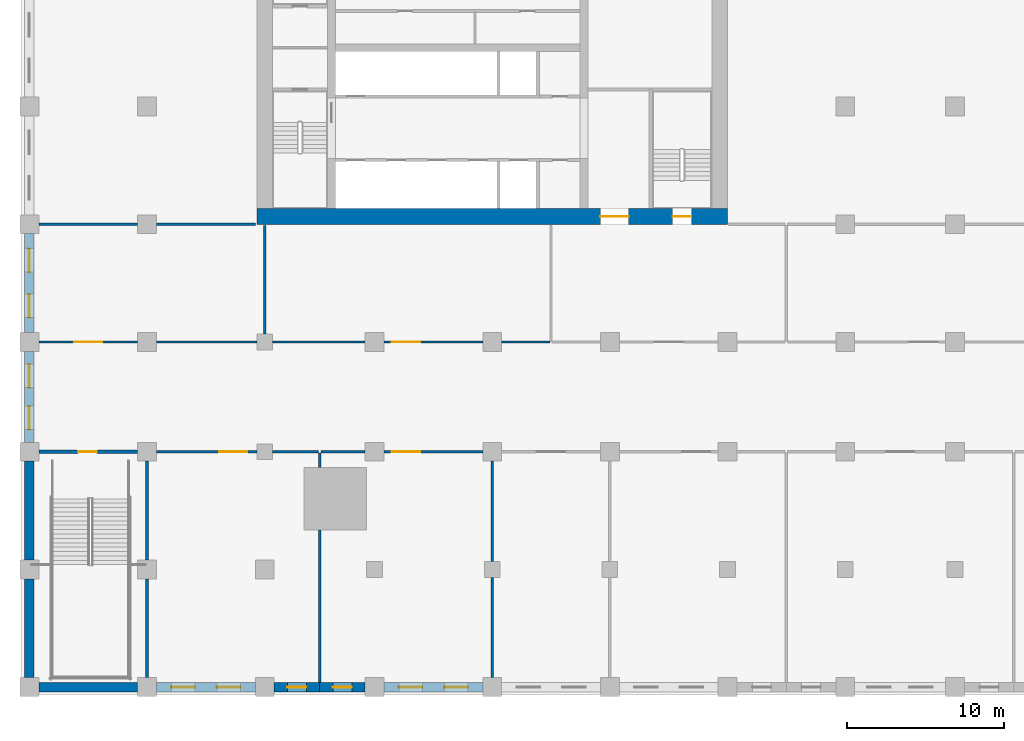
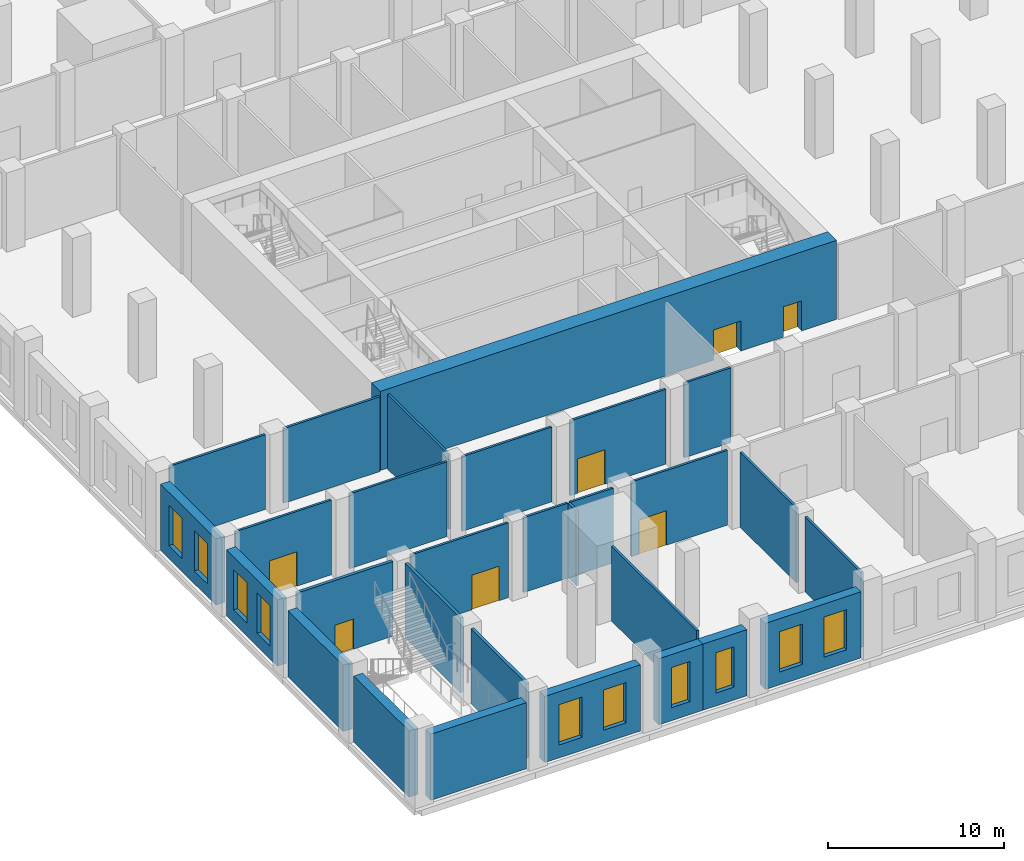
# One storey, part 6 of 35: 29 walls, 10 windows, 7 doors, 17 openings.
"""IFC4 building model written with IfcOpenShell, lengths in metres."""

from ifc_helpers import new_model, si_unit, direction, frame, frame_2d, origin, place, context, subcontext, project, spatial, rectangle, extrude, material, layer, layer_set, type_object, element, fill, save


model = new_model("IFC4")

# Units and contexts
model_context = context("Model", 3, precision=1e-05, world=origin(), true_north=direction((0.0, 1.0)))
body_context = subcontext(model_context, "Body", "Model", "MODEL_VIEW")
ifc_project = project(units=[si_unit("LENGTHUNIT", "METRE"), si_unit("AREAUNIT", "SQUARE_METRE"), si_unit("VOLUMEUNIT", "CUBIC_METRE"), si_unit("PLANEANGLEUNIT", "RADIAN"), si_unit("MASSUNIT", "GRAM", prefix="KILO")], contexts=[model_context])

# Site, building, storey
site_placement = place(None, origin())
site = spatial("IfcSite", under=ifc_project, at=site_placement, CompositionType="ELEMENT")
building_placement = place(site_placement, origin())
building = spatial("IfcBuilding", under=site, at=building_placement, Name="Tamorin Gate", CompositionType="ELEMENT")
storey_placement = place(building_placement, frame((0.0, 0.0, 8.0)))
storey = spatial("IfcBuildingStorey", under=building, at=storey_placement, Name="L01", CompositionType="ELEMENT", Elevation=8.0)

# Wall, opening, door
ifc_material_1 = material(Name="Concrete masonry C20/25", Category="masonry")
ifc_layer_1 = layer(ifc_material_1, 0.14990234375)
ifc_layer_set_1 = layer_set([ifc_layer_1], Name="Partition 150")
wall_type_1 = type_object("IfcWallType", Name="Partition 150", PredefinedType="PARTITIONING", material=ifc_layer_set_1)
wall_1_placement = place(storey_placement, frame((23.60009765625, 45.5, 0.0), z_axis=(0.0, 0.0, 1.0), x_axis=(1.0, 0.0, 0.0)))
wall_1 = element("IfcWall", 1, at=wall_1_placement, inside=storey, type_object=wall_type_1, Name="Partition 150 L01", PredefinedType="PARTITIONING", context=body_context, shape_type="SweptSolid", body=[
    extrude(rectangle(XDim=6.39990234375, YDim=0.14990234375, at=frame_2d((3.199951171875, 0.0))), origin(), (0.0, 0.0, 1.0), 5.199951171875),
])
opening_1_placement = place(wall_1_placement, frame((4.0, 0.0, 0.0)))
opening_1 = element("IfcOpeningElement", 2, at=opening_1_placement, cuts=wall_1, Name="Opening DP3", PredefinedType="OPENING", context=body_context, shape_type="SweptSolid", body=[
    extrude(rectangle(XDim=1.800048828125, YDim=2.39990234375, at=frame_2d((0.89990234375, 1.199951171875))), frame((0.0, 0.0849609375, 0.0), z_axis=(0.0, -1.0, 0.0), x_axis=(1.0, 0.0, 0.0)), (0.0, 0.0, 1.0), 0.169921875),
])
ifc_material_2 = material(Name="Steel and glass", Category="steel")
door_type_1 = type_object("IfcDoorType", Name="Door pair 1800", OperationType="DOUBLE_DOOR_SINGLE_SWING", PredefinedType="DOOR", material=ifc_material_2)
door_1_placement = place(opening_1_placement, origin())
door_1 = element("IfcDoor", 3, at=door_1_placement, inside=storey, type_object=door_type_1, Name="Door pair 1800 L01", OperationType="SINGLE_SWING_LEFT", OverallHeight=2.39990234375, OverallWidth=1.800048828125, PredefinedType="DOOR", context=body_context, shape_type="SweptSolid", body=[
    extrude(rectangle(XDim=1.800048828125, YDim=2.39990234375, at=frame_2d((0.89990234375, 1.199951171875))), frame((0.0, 0.02490234375, 0.0), z_axis=(0.0, -1.0, 0.0), x_axis=(1.0, 0.0, 0.0)), (0.0, 0.0, 1.0), 0.050048828125),
])
fill(opening_1, door_1)

# Walls
wall_2_placement = place(storey_placement, frame((31.0, 45.5, 0.0), z_axis=(0.0, 0.0, 1.0), x_axis=(1.0, 0.0, 0.0)))
element("IfcWall", 4, at=wall_2_placement, inside=storey, type_object=wall_type_1, Name="Partition 150 L01", PredefinedType="PARTITIONING", context=body_context, shape_type="SweptSolid", body=[
    extrude(rectangle(XDim=2.925048828125, YDim=0.14990234375, at=frame_2d((1.46240234375, 0.0))), origin(), (0.0, 0.0, 1.0), 5.199951171875),
])
wall_3_placement = place(storey_placement, frame((34.074951171875, 45.5, 0.0), z_axis=(0.0, 0.0, 1.0), x_axis=(1.0, 0.0, 0.0)))
element("IfcWall", 5, at=wall_3_placement, inside=storey, type_object=wall_type_1, Name="Partition 150 L01", PredefinedType="PARTITIONING", context=body_context, shape_type="SweptSolid", body=[
    extrude(rectangle(XDim=2.824951171875, YDim=0.14990234375, at=frame_2d((1.41259765625, 0.0))), origin(), (0.0, 0.0, 1.0), 5.199951171875),
])

# Wall, opening, door
wall_4_placement = place(storey_placement, frame((38.10009765625, 45.5, 0.0), z_axis=(0.0, 0.0, 1.0), x_axis=(1.0, 0.0, 0.0)))
wall_4 = element("IfcWall", 6, at=wall_4_placement, inside=storey, type_object=wall_type_1, Name="Partition 150 L01", PredefinedType="PARTITIONING", context=body_context, shape_type="SweptSolid", body=[
    extrude(rectangle(XDim=6.2998046875, YDim=0.14990234375, at=frame_2d((3.14990234375, 0.0))), origin(), (0.0, 0.0, 1.0), 5.199951171875),
])
opening_2_placement = place(wall_4_placement, frame((0.5, 0.0, 0.0)))
opening_2 = element("IfcOpeningElement", 7, at=opening_2_placement, cuts=wall_4, Name="Opening DP3", PredefinedType="OPENING", context=body_context, shape_type="SweptSolid", body=[
    extrude(rectangle(XDim=1.800048828125, YDim=2.39990234375, at=frame_2d((0.89990234375, 1.199951171875))), frame((0.0, 0.0849609375, 0.0), z_axis=(0.0, -1.0, 0.0), x_axis=(1.0, 0.0, 0.0)), (0.0, 0.0, 1.0), 0.169921875),
])
door_2_placement = place(opening_2_placement, origin())
door_2 = element("IfcDoor", 8, at=door_2_placement, inside=storey, type_object=door_type_1, Name="Door pair 1800 L01", OperationType="SINGLE_SWING_LEFT", OverallHeight=2.39990234375, OverallWidth=1.800048828125, PredefinedType="DOOR", context=body_context, shape_type="SweptSolid", body=[
    extrude(rectangle(XDim=1.800048828125, YDim=2.39990234375, at=frame_2d((0.89990234375, 1.199951171875))), frame((0.0, 0.02490234375, 0.0), z_axis=(0.0, -1.0, 0.0), x_axis=(1.0, 0.0, 0.0)), (0.0, 0.0, 1.0), 0.050048828125),
])
fill(opening_2, door_2)

wall_5_placement = place(storey_placement, frame((22.39990234375, 52.5, 0.0), z_axis=(0.0, 0.0, 1.0), x_axis=(-1.0, 0.0, 0.0)))
wall_5 = element("IfcWall", 9, at=wall_5_placement, inside=storey, type_object=wall_type_1, Name="Partition 150 L01", PredefinedType="PARTITIONING", context=body_context, shape_type="SweptSolid", body=[
    extrude(rectangle(XDim=6.2998046875, YDim=0.14990234375, at=frame_2d((3.14990234375, 0.0))), origin(), (0.0, 0.0, 1.0), 5.199951171875),
])
opening_3_placement = place(wall_5_placement, frame((2.25, 0.0, 0.0)))
opening_3 = element("IfcOpeningElement", 10, at=opening_3_placement, cuts=wall_5, Name="Opening DP3", PredefinedType="OPENING", context=body_context, shape_type="SweptSolid", body=[
    extrude(rectangle(XDim=1.800048828125, YDim=2.39990234375, at=frame_2d((0.89990234375, 1.199951171875))), frame((0.0, 0.0849609375, 0.0), z_axis=(0.0, -1.0, 0.0), x_axis=(1.0, 0.0, 0.0)), (0.0, 0.0, 1.0), 0.169921875),
])
door_3_placement = place(opening_3_placement, origin())
door_3 = element("IfcDoor", 11, at=door_3_placement, inside=storey, type_object=door_type_1, Name="Door pair 1800 L01", OperationType="SINGLE_SWING_LEFT", OverallHeight=2.39990234375, OverallWidth=1.800048828125, PredefinedType="DOOR", context=body_context, shape_type="SweptSolid", body=[
    extrude(rectangle(XDim=1.800048828125, YDim=2.39990234375, at=frame_2d((0.89990234375, 1.199951171875))), frame((0.0, 0.02490234375, 0.0), z_axis=(0.0, -1.0, 0.0), x_axis=(1.0, 0.0, 0.0)), (0.0, 0.0, 1.0), 0.050048828125),
])
fill(opening_3, door_3)

# Walls
wall_6_placement = place(storey_placement, frame((23.60009765625, 52.5, 0.0), z_axis=(0.0, 0.0, 1.0), x_axis=(1.0, 0.0, 0.0)))
element("IfcWall", 12, at=wall_6_placement, inside=storey, type_object=wall_type_1, Name="Partition 150 L01", PredefinedType="PARTITIONING", context=body_context, shape_type="SweptSolid", body=[
    extrude(rectangle(XDim=6.39990234375, YDim=0.14990234375, at=frame_2d((3.199951171875, 0.0))), origin(), (0.0, 0.0, 1.0), 5.199951171875),
])
wall_7_placement = place(storey_placement, frame((31.0, 52.5, 0.0), z_axis=(0.0, 0.0, 1.0), x_axis=(1.0, 0.0, 0.0)))
element("IfcWall", 13, at=wall_7_placement, inside=storey, type_object=wall_type_1, Name="Partition 150 L01", PredefinedType="PARTITIONING", context=body_context, shape_type="SweptSolid", body=[
    extrude(rectangle(XDim=5.89990234375, YDim=0.14990234375, at=frame_2d((2.949951171875, 0.0))), origin(), (0.0, 0.0, 1.0), 5.199951171875),
])

# Wall, opening, door
wall_8_placement = place(storey_placement, frame((44.39990234375, 52.5, 0.0), z_axis=(0.0, 0.0, 1.0), x_axis=(-1.0, 0.0, 0.0)))
wall_8 = element("IfcWall", 14, at=wall_8_placement, inside=storey, type_object=wall_type_1, Name="Partition 150 L01", PredefinedType="PARTITIONING", context=body_context, shape_type="SweptSolid", body=[
    extrude(rectangle(XDim=6.2998046875, YDim=0.14990234375, at=frame_2d((3.14990234375, 0.0))), origin(), (0.0, 0.0, 1.0), 5.199951171875),
])
opening_4_placement = place(wall_8_placement, frame((4.0, 0.0, 0.0)))
opening_4 = element("IfcOpeningElement", 15, at=opening_4_placement, cuts=wall_8, Name="Opening DP3", PredefinedType="OPENING", context=body_context, shape_type="SweptSolid", body=[
    extrude(rectangle(XDim=1.800048828125, YDim=2.39990234375, at=frame_2d((0.89990234375, 1.199951171875))), frame((0.0, 0.0849609375, 0.0), z_axis=(0.0, -1.0, 0.0), x_axis=(1.0, 0.0, 0.0)), (0.0, 0.0, 1.0), 0.169921875),
])
door_4_placement = place(opening_4_placement, origin())
door_4 = element("IfcDoor", 16, at=door_4_placement, inside=storey, type_object=door_type_1, Name="Door pair 1800 L01", OperationType="SINGLE_SWING_LEFT", OverallHeight=2.39990234375, OverallWidth=1.800048828125, PredefinedType="DOOR", context=body_context, shape_type="SweptSolid", body=[
    extrude(rectangle(XDim=1.800048828125, YDim=2.39990234375, at=frame_2d((0.89990234375, 1.199951171875))), frame((0.0, 0.02490234375, 0.0), z_axis=(0.0, -1.0, 0.0), x_axis=(1.0, 0.0, 0.0)), (0.0, 0.0, 1.0), 0.050048828125),
])
fill(opening_4, door_4)

# Walls
wall_9_placement = place(storey_placement, frame((45.60009765625, 52.5, 0.0), z_axis=(0.0, 0.0, 1.0), x_axis=(1.0, 0.0, 0.0)))
element("IfcWall", 17, at=wall_9_placement, inside=storey, type_object=wall_type_1, Name="Partition 150 L01", PredefinedType="PARTITIONING", context=body_context, shape_type="SweptSolid", body=[
    extrude(rectangle(XDim=3.074951171875, YDim=0.14990234375, at=frame_2d((1.53759765625, 0.0))), origin(), (0.0, 0.0, 1.0), 5.199951171875),
])
wall_10_placement = place(storey_placement, frame((16.10009765625, 60.0, 0.0), z_axis=(0.0, 0.0, 1.0), x_axis=(1.0, 0.0, 0.0)))
element("IfcWall", 18, at=wall_10_placement, inside=storey, type_object=wall_type_1, Name="Partition 150 L01", PredefinedType="PARTITIONING", context=body_context, shape_type="SweptSolid", body=[
    extrude(rectangle(XDim=6.2998046875, YDim=0.14990234375, at=frame_2d((3.14990234375, 0.0))), origin(), (0.0, 0.0, 1.0), 5.199951171875),
])
wall_11_placement = place(storey_placement, frame((23.60009765625, 60.0, 0.0), z_axis=(0.0, 0.0, 1.0), x_axis=(1.0, 0.0, 0.0)))
element("IfcWall", 19, at=wall_11_placement, inside=storey, type_object=wall_type_1, Name="Partition 150 L01", PredefinedType="PARTITIONING", context=body_context, shape_type="SweptSolid", body=[
    extrude(rectangle(XDim=6.324951171875, YDim=0.14990234375, at=frame_2d((3.16259765625, 0.0))), origin(), (0.0, 0.0, 1.0), 5.199951171875),
])
wall_12_placement = place(storey_placement, frame((34.0, 30.800048828125, 0.0), z_axis=(0.0, 0.0, 1.0), x_axis=(0.0, 1.0, 0.0)))
element("IfcWall", 20, at=wall_12_placement, inside=storey, type_object=wall_type_1, Name="Partition 150 L01", PredefinedType="PARTITIONING", context=body_context, shape_type="SweptSolid", body=[
    extrude(rectangle(XDim=9.699951171875, YDim=0.14990234375, at=frame_2d((4.85009765625, 0.0))), origin(), (0.0, 0.0, 1.0), 5.199951171875),
])
wall_13_placement = place(storey_placement, frame((34.0, 44.5, 0.0), z_axis=(0.0, 0.0, 1.0), x_axis=(0.0, 1.0, 0.0)))
element("IfcWall", 21, at=wall_13_placement, inside=storey, type_object=wall_type_1, Name="Partition 150 L01", PredefinedType="PARTITIONING", context=body_context, shape_type="SweptSolid", body=[
    extrude(rectangle(XDim=0.925048828125, YDim=0.14990234375, at=frame_2d((0.46240234375, 0.0))), origin(), (0.0, 0.0, 1.0), 5.199951171875),
])
for number, where, z_axis, x_axis, name in (
    (22, (45.0, 31.10009765625, 0.0), (0.0, 0.0, 1.0), (0.0, 1.0, 0.0), "Partition 150 L01"),
    (23, (45.0, 38.5, 0.0), (0.0, 0.0, 1.0), (0.0, 1.0, 0.0), "Partition 150 L01"),
):
    element("IfcWall", number, at=place(storey_placement, frame(where, z_axis=z_axis, x_axis=x_axis)), inside=storey, type_object=wall_type_1, Name=name, PredefinedType="PARTITIONING", context=body_context, shape_type="SweptSolid", body=[
        extrude(rectangle(XDim=6.39990234375, YDim=0.14990234375, at=frame_2d((3.199951171875, 0.0))), origin(), (0.0, 0.0, 1.0), 5.199951171875),
    ])
wall_14_placement = place(storey_placement, frame((30.5, 53.0, 0.0), z_axis=(0.0, 0.0, 1.0), x_axis=(0.0, 1.0, 0.0)))
element("IfcWall", 24, at=wall_14_placement, inside=storey, type_object=wall_type_1, Name="Partition 150 L01", PredefinedType="PARTITIONING", context=body_context, shape_type="SweptSolid", body=[
    extrude(rectangle(XDim=6.925048828125, YDim=0.14990234375, at=frame_2d((3.46240234375, 0.0))), origin(), (0.0, 0.0, 1.0), 5.199951171875),
])
ifc_material_3 = material(Name="Precast concrete C40/50", Category="concrete")
ifc_layer_2 = layer(ifc_material_3, 0.60009765625)
ifc_layer_set_2 = layer_set([ifc_layer_2], Name="Precast concrete C40/50")
wall_type_2 = type_object("IfcWallType", Name="Precast plinth wall 600", PredefinedType="PARTITIONING", material=ifc_layer_set_2)
wall_15_placement = place(storey_placement, frame((16.10009765625, 30.5, 0.0), z_axis=(0.0, 0.0, 1.0), x_axis=(1.0, 0.0, 0.0)))
element("IfcWall", 25, at=wall_15_placement, inside=storey, type_object=wall_type_2, Name="Precast plinth wall 600 L01", PredefinedType="PARTITIONING", context=body_context, shape_type="SweptSolid", body=[
    extrude(rectangle(XDim=6.2998046875, YDim=0.60009765625, at=frame_2d((3.14990234375, 0.0))), origin(), (0.0, 0.0, 1.0), 4.60009765625),
])

# Wall, openings, windows
wall_16_placement = place(storey_placement, frame((23.60009765625, 30.5, 0.0), z_axis=(0.0, 0.0, 1.0), x_axis=(1.0, 0.0, 0.0)))
wall_16 = element("IfcWall", 26, at=wall_16_placement, inside=storey, type_object=wall_type_2, Name="Precast plinth wall 600 L01", PredefinedType="PARTITIONING", context=body_context, shape_type="SweptSolid", body=[
    extrude(rectangle(XDim=6.2998046875, YDim=0.60009765625, at=frame_2d((3.14990234375, 0.0))), origin(), (0.0, 0.0, 1.0), 4.60009765625),
])
opening_5_placement = place(wall_16_placement, frame((0.950927734375, 0.0, 0.89990234375)))
opening_5 = element("IfcOpeningElement", 27, at=opening_5_placement, cuts=wall_16, Name="Opening PWN5", PredefinedType="OPENING", context=body_context, shape_type="SweptSolid", body=[
    extrude(rectangle(XDim=1.5, YDim=2.800048828125, at=frame_2d((0.75, 1.39990234375))), frame((0.0, 0.31005859375, 0.0), z_axis=(0.0, -1.0, 0.0), x_axis=(1.0, 0.0, 0.0)), (0.0, 0.0, 1.0), 0.6201171875),
])
opening_6_placement = place(wall_16_placement, frame((3.84912109375, 0.0, 0.89990234375)))
opening_6 = element("IfcOpeningElement", 28, at=opening_6_placement, cuts=wall_16, Name="Opening PWN5", PredefinedType="OPENING", context=body_context, shape_type="SweptSolid", body=[
    extrude(rectangle(XDim=1.5, YDim=2.800048828125, at=frame_2d((0.75, 1.39990234375))), frame((0.0, 0.31005859375, 0.0), z_axis=(0.0, -1.0, 0.0), x_axis=(1.0, 0.0, 0.0)), (0.0, 0.0, 1.0), 0.6201171875),
])
ifc_material_4 = material(Name="Aluminium and glass", Category="aluminium")
window_type_1 = type_object("IfcWindowType", Name="Plinth window 1500x2800", PartitioningType="DOUBLE_PANEL_VERTICAL", PredefinedType="WINDOW", material=ifc_material_4)
window_1_placement = place(opening_5_placement, origin())
window_1 = element("IfcWindow", 29, at=window_1_placement, inside=storey, type_object=window_type_1, Name="Plinth window 1500x2800", OverallHeight=2.800048828125, OverallWidth=1.5, PartitioningType="SINGLE_PANEL", PredefinedType="WINDOW", context=body_context, shape_type="SweptSolid", body=[
    extrude(rectangle(XDim=1.5, YDim=2.800048828125, at=frame_2d((0.75, 1.39990234375))), frame((0.0, 0.030029296875, 0.0), z_axis=(0.0, -1.0, 0.0), x_axis=(1.0, 0.0, 0.0)), (0.0, 0.0, 1.0), 0.06005859375),
])
fill(opening_5, window_1)
window_2_placement = place(opening_6_placement, origin())
window_2 = element("IfcWindow", 30, at=window_2_placement, inside=storey, type_object=window_type_1, Name="Plinth window 1500x2800", OverallHeight=2.800048828125, OverallWidth=1.5, PartitioningType="SINGLE_PANEL", PredefinedType="WINDOW", context=body_context, shape_type="SweptSolid", body=[
    extrude(rectangle(XDim=1.5, YDim=2.800048828125, at=frame_2d((0.75, 1.39990234375))), frame((0.0, 0.030029296875, 0.0), z_axis=(0.0, -1.0, 0.0), x_axis=(1.0, 0.0, 0.0)), (0.0, 0.0, 1.0), 0.06005859375),
])
fill(opening_6, window_2)

# Wall, opening, window
wall_17_placement = place(storey_placement, frame((31.10009765625, 30.5, 0.0), z_axis=(0.0, 0.0, 1.0), x_axis=(1.0, 0.0, 0.0)))
wall_17 = element("IfcWall", 31, at=wall_17_placement, inside=storey, type_object=wall_type_2, Name="Precast plinth wall 600 L01", PredefinedType="PARTITIONING", context=body_context, shape_type="SweptSolid", body=[
    extrude(rectangle(XDim=2.89990234375, YDim=0.60009765625, at=frame_2d((1.449951171875, 0.0))), origin(), (0.0, 0.0, 1.0), 4.60009765625),
])
opening_7_placement = place(wall_17_placement, frame((0.85009765625, 0.0, 0.89990234375)))
opening_7 = element("IfcOpeningElement", 32, at=opening_7_placement, cuts=wall_17, Name="Opening PWN4", PredefinedType="OPENING", context=body_context, shape_type="SweptSolid", body=[
    extrude(rectangle(XDim=1.199951171875, YDim=2.800048828125, at=frame_2d((0.60009765625, 1.39990234375))), frame((0.0, 0.31005859375, 0.0), z_axis=(0.0, -1.0, 0.0), x_axis=(1.0, 0.0, 0.0)), (0.0, 0.0, 1.0), 0.6201171875),
])
window_type_2 = type_object("IfcWindowType", Name="Plinth window 1200x2800", PartitioningType="DOUBLE_PANEL_VERTICAL", PredefinedType="WINDOW", material=ifc_material_4)
window_3_placement = place(opening_7_placement, origin())
window_3 = element("IfcWindow", 33, at=window_3_placement, inside=storey, type_object=window_type_2, Name="Plinth window 1200x2800", OverallHeight=2.800048828125, OverallWidth=1.199951171875, PartitioningType="SINGLE_PANEL", PredefinedType="WINDOW", context=body_context, shape_type="SweptSolid", body=[
    extrude(rectangle(XDim=1.199951171875, YDim=2.800048828125, at=frame_2d((0.60009765625, 1.39990234375))), frame((0.0, 0.030029296875, 0.0), z_axis=(0.0, -1.0, 0.0), x_axis=(1.0, 0.0, 0.0)), (0.0, 0.0, 1.0), 0.06005859375),
])
fill(opening_7, window_3)

wall_18_placement = place(storey_placement, frame((34.0, 30.5, 0.0), z_axis=(0.0, 0.0, 1.0), x_axis=(1.0, 0.0, 0.0)))
wall_18 = element("IfcWall", 34, at=wall_18_placement, inside=storey, type_object=wall_type_2, Name="Precast plinth wall 600 L01", PredefinedType="PARTITIONING", context=body_context, shape_type="SweptSolid", body=[
    extrude(rectangle(XDim=2.89990234375, YDim=0.60009765625, at=frame_2d((1.449951171875, 0.0))), origin(), (0.0, 0.0, 1.0), 4.60009765625),
])
opening_8_placement = place(wall_18_placement, frame((0.85009765625, 0.0, 0.89990234375)))
opening_8 = element("IfcOpeningElement", 35, at=opening_8_placement, cuts=wall_18, Name="Opening PWN4", PredefinedType="OPENING", context=body_context, shape_type="SweptSolid", body=[
    extrude(rectangle(XDim=1.199951171875, YDim=2.800048828125, at=frame_2d((0.60009765625, 1.39990234375))), frame((0.0, 0.31005859375, 0.0), z_axis=(0.0, -1.0, 0.0), x_axis=(1.0, 0.0, 0.0)), (0.0, 0.0, 1.0), 0.6201171875),
])
window_4_placement = place(opening_8_placement, origin())
window_4 = element("IfcWindow", 36, at=window_4_placement, inside=storey, type_object=window_type_2, Name="Plinth window 1200x2800", OverallHeight=2.800048828125, OverallWidth=1.199951171875, PartitioningType="SINGLE_PANEL", PredefinedType="WINDOW", context=body_context, shape_type="SweptSolid", body=[
    extrude(rectangle(XDim=1.199951171875, YDim=2.800048828125, at=frame_2d((0.60009765625, 1.39990234375))), frame((0.0, 0.030029296875, 0.0), z_axis=(0.0, -1.0, 0.0), x_axis=(1.0, 0.0, 0.0)), (0.0, 0.0, 1.0), 0.06005859375),
])
fill(opening_8, window_4)

# Wall, openings, windows
wall_19_placement = place(storey_placement, frame((38.10009765625, 30.5, 0.0), z_axis=(0.0, 0.0, 1.0), x_axis=(1.0, 0.0, 0.0)))
wall_19 = element("IfcWall", 37, at=wall_19_placement, inside=storey, type_object=wall_type_2, Name="Precast plinth wall 600 L01", PredefinedType="PARTITIONING", context=body_context, shape_type="SweptSolid", body=[
    extrude(rectangle(XDim=6.2998046875, YDim=0.60009765625, at=frame_2d((3.14990234375, 0.0))), origin(), (0.0, 0.0, 1.0), 4.60009765625),
])
opening_9_placement = place(wall_19_placement, frame((0.950927734375, 0.0, 0.89990234375)))
opening_9 = element("IfcOpeningElement", 38, at=opening_9_placement, cuts=wall_19, Name="Opening PWN5", PredefinedType="OPENING", context=body_context, shape_type="SweptSolid", body=[
    extrude(rectangle(XDim=1.5, YDim=2.800048828125, at=frame_2d((0.75, 1.39990234375))), frame((0.0, 0.31005859375, 0.0), z_axis=(0.0, -1.0, 0.0), x_axis=(1.0, 0.0, 0.0)), (0.0, 0.0, 1.0), 0.6201171875),
])
opening_10_placement = place(wall_19_placement, frame((3.84912109375, 0.0, 0.89990234375)))
opening_10 = element("IfcOpeningElement", 39, at=opening_10_placement, cuts=wall_19, Name="Opening PWN5", PredefinedType="OPENING", context=body_context, shape_type="SweptSolid", body=[
    extrude(rectangle(XDim=1.5, YDim=2.800048828125, at=frame_2d((0.75, 1.39990234375))), frame((0.0, 0.31005859375, 0.0), z_axis=(0.0, -1.0, 0.0), x_axis=(1.0, 0.0, 0.0)), (0.0, 0.0, 1.0), 0.6201171875),
])
window_5_placement = place(opening_9_placement, origin())
window_5 = element("IfcWindow", 40, at=window_5_placement, inside=storey, type_object=window_type_1, Name="Plinth window 1500x2800", OverallHeight=2.800048828125, OverallWidth=1.5, PartitioningType="SINGLE_PANEL", PredefinedType="WINDOW", context=body_context, shape_type="SweptSolid", body=[
    extrude(rectangle(XDim=1.5, YDim=2.800048828125, at=frame_2d((0.75, 1.39990234375))), frame((0.0, 0.030029296875, 0.0), z_axis=(0.0, -1.0, 0.0), x_axis=(1.0, 0.0, 0.0)), (0.0, 0.0, 1.0), 0.06005859375),
])
fill(opening_9, window_5)
window_6_placement = place(opening_10_placement, origin())
window_6 = element("IfcWindow", 41, at=window_6_placement, inside=storey, type_object=window_type_1, Name="Plinth window 1500x2800", OverallHeight=2.800048828125, OverallWidth=1.5, PartitioningType="SINGLE_PANEL", PredefinedType="WINDOW", context=body_context, shape_type="SweptSolid", body=[
    extrude(rectangle(XDim=1.5, YDim=2.800048828125, at=frame_2d((0.75, 1.39990234375))), frame((0.0, 0.030029296875, 0.0), z_axis=(0.0, -1.0, 0.0), x_axis=(1.0, 0.0, 0.0)), (0.0, 0.0, 1.0), 0.06005859375),
])
fill(opening_10, window_6)

# Walls
for number, where, z_axis, x_axis, name in (
    (42, (15.5, 31.10009765625, 0.0), (0.0, 0.0, 1.0), (0.0, 1.0, 0.0), "Precast plinth wall 600 L01"),
    (43, (15.5, 38.60009765625, 0.0), (0.0, 0.0, 1.0), (0.0, 1.0, 0.0), "Precast plinth wall 600 L01"),
):
    element("IfcWall", number, at=place(storey_placement, frame(where, z_axis=z_axis, x_axis=x_axis)), inside=storey, type_object=wall_type_2, Name=name, PredefinedType="PARTITIONING", context=body_context, shape_type="SweptSolid", body=[
        extrude(rectangle(XDim=6.2998046875, YDim=0.60009765625, at=frame_2d((3.14990234375, 0.0))), origin(), (0.0, 0.0, 1.0), 4.60009765625),
    ])

# Wall, openings, windows
wall_20_placement = place(storey_placement, frame((15.5, 46.10009765625, 0.0), z_axis=(0.0, 0.0, 1.0), x_axis=(0.0, 1.0, 0.0)))
wall_20 = element("IfcWall", 44, at=wall_20_placement, inside=storey, type_object=wall_type_2, Name="Precast plinth wall 600 L01", PredefinedType="PARTITIONING", context=body_context, shape_type="SweptSolid", body=[
    extrude(rectangle(XDim=5.7998046875, YDim=0.60009765625, at=frame_2d((2.89990234375, 0.0))), origin(), (0.0, 0.0, 1.0), 4.60009765625),
])
opening_11_placement = place(wall_20_placement, frame((0.81591796875, 0.0, 0.89990234375)))
opening_11 = element("IfcOpeningElement", 45, at=opening_11_placement, cuts=wall_20, Name="Opening PWN5", PredefinedType="OPENING", context=body_context, shape_type="SweptSolid", body=[
    extrude(rectangle(XDim=1.5, YDim=2.800048828125, at=frame_2d((0.75, 1.39990234375))), frame((0.0, 0.31005859375, 0.0), z_axis=(0.0, -1.0, 0.0), x_axis=(1.0, 0.0, 0.0)), (0.0, 0.0, 1.0), 0.6201171875),
])
opening_12_placement = place(wall_20_placement, frame((3.48388671875, 0.0, 0.89990234375)))
opening_12 = element("IfcOpeningElement", 46, at=opening_12_placement, cuts=wall_20, Name="Opening PWN5", PredefinedType="OPENING", context=body_context, shape_type="SweptSolid", body=[
    extrude(rectangle(XDim=1.5, YDim=2.800048828125, at=frame_2d((0.75, 1.39990234375))), frame((0.0, 0.31005859375, 0.0), z_axis=(0.0, -1.0, 0.0), x_axis=(1.0, 0.0, 0.0)), (0.0, 0.0, 1.0), 0.6201171875),
])
window_7_placement = place(opening_11_placement, origin())
window_7 = element("IfcWindow", 47, at=window_7_placement, inside=storey, type_object=window_type_1, Name="Plinth window 1500x2800", OverallHeight=2.800048828125, OverallWidth=1.5, PartitioningType="SINGLE_PANEL", PredefinedType="WINDOW", context=body_context, shape_type="SweptSolid", body=[
    extrude(rectangle(XDim=1.5, YDim=2.800048828125, at=frame_2d((0.75, 1.39990234375))), frame((0.0, 0.030029296875, 0.0), z_axis=(0.0, -1.0, 0.0), x_axis=(1.0, 0.0, 0.0)), (0.0, 0.0, 1.0), 0.06005859375),
])
fill(opening_11, window_7)
window_8_placement = place(opening_12_placement, origin())
window_8 = element("IfcWindow", 48, at=window_8_placement, inside=storey, type_object=window_type_1, Name="Plinth window 1500x2800", OverallHeight=2.800048828125, OverallWidth=1.5, PartitioningType="SINGLE_PANEL", PredefinedType="WINDOW", context=body_context, shape_type="SweptSolid", body=[
    extrude(rectangle(XDim=1.5, YDim=2.800048828125, at=frame_2d((0.75, 1.39990234375))), frame((0.0, 0.030029296875, 0.0), z_axis=(0.0, -1.0, 0.0), x_axis=(1.0, 0.0, 0.0)), (0.0, 0.0, 1.0), 0.06005859375),
])
fill(opening_12, window_8)

wall_21_placement = place(storey_placement, frame((15.5, 53.10009765625, 0.0), z_axis=(0.0, 0.0, 1.0), x_axis=(0.0, 1.0, 0.0)))
wall_21 = element("IfcWall", 49, at=wall_21_placement, inside=storey, type_object=wall_type_2, Name="Precast plinth wall 600 L01", PredefinedType="PARTITIONING", context=body_context, shape_type="SweptSolid", body=[
    extrude(rectangle(XDim=6.2998046875, YDim=0.60009765625, at=frame_2d((3.14990234375, 0.0))), origin(), (0.0, 0.0, 1.0), 4.60009765625),
])
opening_13_placement = place(wall_21_placement, frame((0.950927734375, 0.0, 0.89990234375)))
opening_13 = element("IfcOpeningElement", 50, at=opening_13_placement, cuts=wall_21, Name="Opening PWN5", PredefinedType="OPENING", context=body_context, shape_type="SweptSolid", body=[
    extrude(rectangle(XDim=1.5, YDim=2.800048828125, at=frame_2d((0.75, 1.39990234375))), frame((0.0, 0.31005859375, 0.0), z_axis=(0.0, -1.0, 0.0), x_axis=(1.0, 0.0, 0.0)), (0.0, 0.0, 1.0), 0.6201171875),
])
opening_14_placement = place(wall_21_placement, frame((3.84912109375, 0.0, 0.89990234375)))
opening_14 = element("IfcOpeningElement", 51, at=opening_14_placement, cuts=wall_21, Name="Opening PWN5", PredefinedType="OPENING", context=body_context, shape_type="SweptSolid", body=[
    extrude(rectangle(XDim=1.5, YDim=2.800048828125, at=frame_2d((0.75, 1.39990234375))), frame((0.0, 0.31005859375, 0.0), z_axis=(0.0, -1.0, 0.0), x_axis=(1.0, 0.0, 0.0)), (0.0, 0.0, 1.0), 0.6201171875),
])
window_9_placement = place(opening_13_placement, origin())
window_9 = element("IfcWindow", 52, at=window_9_placement, inside=storey, type_object=window_type_1, Name="Plinth window 1500x2800", OverallHeight=2.800048828125, OverallWidth=1.5, PartitioningType="SINGLE_PANEL", PredefinedType="WINDOW", context=body_context, shape_type="SweptSolid", body=[
    extrude(rectangle(XDim=1.5, YDim=2.800048828125, at=frame_2d((0.75, 1.39990234375))), frame((0.0, 0.030029296875, 0.0), z_axis=(0.0, -1.0, 0.0), x_axis=(1.0, 0.0, 0.0)), (0.0, 0.0, 1.0), 0.06005859375),
])
fill(opening_13, window_9)
window_10_placement = place(opening_14_placement, origin())
window_10 = element("IfcWindow", 53, at=window_10_placement, inside=storey, type_object=window_type_1, Name="Plinth window 1500x2800", OverallHeight=2.800048828125, OverallWidth=1.5, PartitioningType="SINGLE_PANEL", PredefinedType="WINDOW", context=body_context, shape_type="SweptSolid", body=[
    extrude(rectangle(XDim=1.5, YDim=2.800048828125, at=frame_2d((0.75, 1.39990234375))), frame((0.0, 0.030029296875, 0.0), z_axis=(0.0, -1.0, 0.0), x_axis=(1.0, 0.0, 0.0)), (0.0, 0.0, 1.0), 0.06005859375),
])
fill(opening_14, window_10)

# Wall, openings, doors
ifc_material_5 = material(Name="Concrete C80/95", Category="concrete")
ifc_layer_3 = layer(ifc_material_5, 1.0)
ifc_layer_set_3 = layer_set([ifc_layer_3], Name="RC core wall 1000 C80/95")
wall_type_3 = type_object("IfcWallType", Name="RC core wall 1000 C80/95", PredefinedType="SHEAR", material=ifc_layer_set_3)
wall_22_placement = place(storey_placement, frame((30.0, 60.5, 0.0), z_axis=(0.0, 0.0, 1.0), x_axis=(1.0, 0.0, 0.0)))
wall_22 = element("IfcWall", 54, at=wall_22_placement, inside=storey, type_object=wall_type_3, Name="Core wall L01", PredefinedType="SHEAR", context=body_context, shape_type="SweptSolid", body=[
    extrude(rectangle(XDim=30.0, YDim=1.0, at=frame_2d((15.0, 0.0))), origin(), (0.0, 0.0, 1.0), 5.5),
])
opening_15_placement = place(wall_22_placement, frame((21.89990234375, 0.0, 0.0)))
opening_15 = element("IfcOpeningElement", 55, at=opening_15_placement, cuts=wall_22, Name="Opening DE1", PredefinedType="OPENING", context=body_context, shape_type="SweptSolid", body=[
    extrude(rectangle(XDim=1.800048828125, YDim=2.10009765625, at=frame_2d((0.89990234375, 1.050048828125))), frame((0.0, 0.510009765625, 0.0), z_axis=(0.0, -1.0, 0.0), x_axis=(1.0, 0.0, 0.0)), (0.0, 0.0, 1.0), 1.02001953125),
])
opening_16_placement = place(wall_22_placement, frame((26.5, 0.0, 0.0)))
opening_16 = element("IfcOpeningElement", 56, at=opening_16_placement, cuts=wall_22, Name="Opening DS1", PredefinedType="OPENING", context=body_context, shape_type="SweptSolid", body=[
    extrude(rectangle(XDim=1.199951171875, YDim=2.10009765625, at=frame_2d((0.60009765625, 1.050048828125))), frame((0.0, 0.510009765625, 0.0), z_axis=(0.0, -1.0, 0.0), x_axis=(1.0, 0.0, 0.0)), (0.0, 0.0, 1.0), 1.02001953125),
])
ifc_material_6 = material(Name="Steel fire door", Category="steel")
door_type_2 = type_object("IfcDoorType", Name="Lobby exit double door 1800 x 2100 EI 60", OperationType="DOUBLE_DOOR_SINGLE_SWING", PredefinedType="DOOR", material=ifc_material_6)
door_5_placement = place(opening_15_placement, origin())
door_5 = element("IfcDoor", 57, at=door_5_placement, inside=storey, type_object=door_type_2, Name="Lift lobby A exit door", OperationType="DOUBLE_DOOR_SINGLE_SWING", OverallHeight=2.10009765625, OverallWidth=1.800048828125, PredefinedType="DOOR", context=body_context, shape_type="SweptSolid", body=[
    extrude(rectangle(XDim=1.800048828125, YDim=2.10009765625, at=frame_2d((0.89990234375, 1.050048828125))), frame((0.0, 0.02490234375, 0.0), z_axis=(0.0, -1.0, 0.0), x_axis=(1.0, 0.0, 0.0)), (0.0, 0.0, 1.0), 0.050048828125),
])
fill(opening_15, door_5)
door_type_3 = type_object("IfcDoorType", Name="Stair door 1200 x 2100 EI 90", OperationType="SINGLE_SWING_LEFT", PredefinedType="DOOR", material=ifc_material_6)
door_6_placement = place(opening_16_placement, origin())
door_6 = element("IfcDoor", 58, at=door_6_placement, inside=storey, type_object=door_type_3, Name="ST3 door", OperationType="SINGLE_SWING_LEFT", OverallHeight=2.10009765625, OverallWidth=1.199951171875, PredefinedType="DOOR", context=body_context, shape_type="SweptSolid", body=[
    extrude(rectangle(XDim=1.199951171875, YDim=2.10009765625, at=frame_2d((0.60009765625, 1.050048828125))), frame((0.0, 0.02490234375, 0.0), z_axis=(0.0, -1.0, 0.0), x_axis=(1.0, 0.0, 0.0)), (0.0, 0.0, 1.0), 0.050048828125),
])
fill(opening_16, door_6)

# Wall, opening, door
ifc_material_7 = material(Name="Concrete C40/50", Category="concrete")
ifc_layer_4 = layer(ifc_material_7, 0.199951171875)
ifc_layer_set_4 = layer_set([ifc_layer_4], Name="Stair enclosure 200")
wall_type_4 = type_object("IfcWallType", Name="Stair enclosure 200", PredefinedType="SHEAR", material=ifc_layer_set_4)
wall_23_placement = place(storey_placement, frame((22.39990234375, 45.5, 0.0), z_axis=(0.0, 0.0, 1.0), x_axis=(-1.0, 0.0, 0.0)))
wall_23 = element("IfcWall", 59, at=wall_23_placement, inside=storey, type_object=wall_type_4, Name="Stair enclosure 200 L01", PredefinedType="SHEAR", context=body_context, shape_type="SweptSolid", body=[
    extrude(rectangle(XDim=6.2998046875, YDim=0.199951171875, at=frame_2d((3.14990234375, 0.0))), origin(), (0.0, 0.0, 1.0), 5.199951171875),
])
opening_17_placement = place(wall_23_placement, frame((2.60009765625, 0.0, 0.0)))
opening_17 = element("IfcOpeningElement", 60, at=opening_17_placement, cuts=wall_23, Name="Opening DP5", PredefinedType="OPENING", context=body_context, shape_type="SweptSolid", body=[
    extrude(rectangle(XDim=1.199951171875, YDim=2.10009765625, at=frame_2d((0.60009765625, 1.050048828125))), frame((0.0, 0.10986328125, 0.0), z_axis=(0.0, -1.0, 0.0), x_axis=(1.0, 0.0, 0.0)), (0.0, 0.0, 1.0), 0.219970703125),
])
ifc_material_8 = material(Name="Painted steel", Category="steel")
door_type_4 = type_object("IfcDoorType", Name="Stair door 1200", OperationType="SINGLE_SWING_LEFT", PredefinedType="DOOR", material=ifc_material_8)
door_7_placement = place(opening_17_placement, origin())
door_7 = element("IfcDoor", 61, at=door_7_placement, inside=storey, type_object=door_type_4, Name="Stair door 1200 L01", OperationType="SINGLE_SWING_LEFT", OverallHeight=2.10009765625, OverallWidth=1.199951171875, PredefinedType="DOOR", context=body_context, shape_type="SweptSolid", body=[
    extrude(rectangle(XDim=1.199951171875, YDim=2.10009765625, at=frame_2d((0.60009765625, 1.050048828125))), frame((0.0, 0.02490234375, 0.0), z_axis=(0.0, -1.0, 0.0), x_axis=(1.0, 0.0, 0.0)), (0.0, 0.0, 1.0), 0.050048828125),
])
fill(opening_17, door_7)

# Walls
for number, where, z_axis, x_axis, name in (
    (62, (23.0, 31.10009765625, 0.0), (0.0, 0.0, 1.0), (0.0, 1.0, 0.0), "Stair enclosure 200 L01"),
    (63, (23.0, 38.60009765625, 0.0), (0.0, 0.0, 1.0), (0.0, 1.0, 0.0), "Stair enclosure 200 L01"),
):
    element("IfcWall", number, at=place(storey_placement, frame(where, z_axis=z_axis, x_axis=x_axis)), inside=storey, type_object=wall_type_4, Name=name, PredefinedType="SHEAR", context=body_context, shape_type="SweptSolid", body=[
        extrude(rectangle(XDim=6.2998046875, YDim=0.199951171875, at=frame_2d((3.14990234375, 0.0))), origin(), (0.0, 0.0, 1.0), 5.199951171875),
    ])

save(model, "model.ifc")
